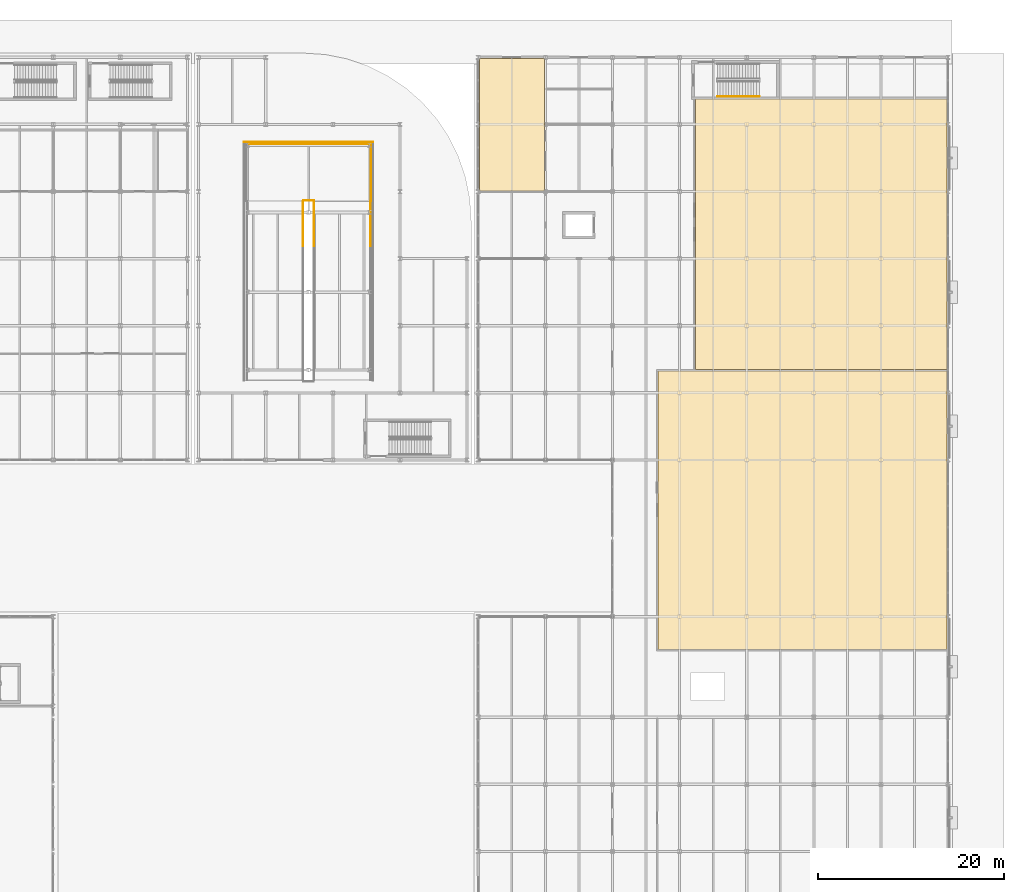
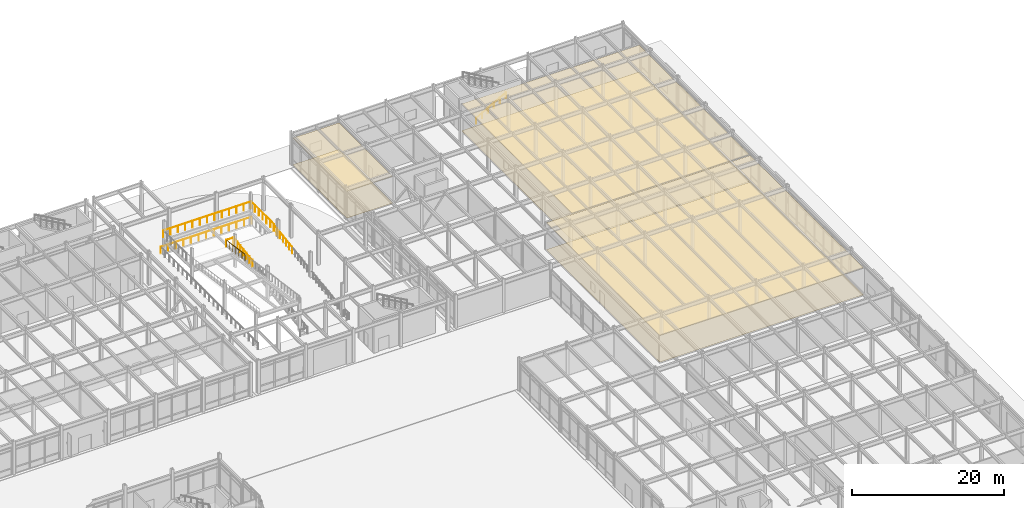
# One storey, part 101 of 104: 8 railings, 6 coverings.
"""IFC4 building model written with IfcOpenShell, lengths in metres."""

from ifc_helpers import new_model, si_unit, direction, frame, origin, origin_2d, place, context, subcontext, project, spatial, polyline, circle, outline, extrude, material, layer, layer_set, type_object, element, save


model = new_model("IFC4")

# Units and contexts
model_context = context("Model", 3, precision=1e-05, world=origin(), true_north=direction((0.0, 1.0)))
body_context = subcontext(model_context, "Body", "Model", "MODEL_VIEW")
ifc_project = project(units=[si_unit("LENGTHUNIT", "METRE"), si_unit("AREAUNIT", "SQUARE_METRE"), si_unit("VOLUMEUNIT", "CUBIC_METRE"), si_unit("PLANEANGLEUNIT", "RADIAN"), si_unit("MASSUNIT", "GRAM", prefix="KILO")], contexts=[model_context])

# Site, building, storey
site_placement = place(None, origin())
site = spatial("IfcSite", under=ifc_project, at=site_placement, CompositionType="ELEMENT")
building_placement = place(site_placement, origin())
building = spatial("IfcBuilding", under=site, at=building_placement, Name="Vaelcorin Mobility Hub", CompositionType="ELEMENT")
storey_placement = place(building_placement, origin())
storey = spatial("IfcBuildingStorey", under=building, at=storey_placement, Name="L00", CompositionType="ELEMENT", Elevation=0.0)

# Coverings
ifc_material_1 = material(Name="Perforated acoustic mineral-fibre ceiling tile")
ifc_layer_1 = layer(ifc_material_1, 0.02392578125)
ifc_layer_set_1 = layer_set([ifc_layer_1], Name="Perforated acoustic mineral-fibre ceiling tile")
covering_type_1 = type_object("IfcCoveringType", Name="COV-CEIL-2", PredefinedType="CEILING", material=ifc_layer_set_1)
covering_1_placement = place(storey_placement, frame((0.0, 0.0, 4.287109375)))
element("IfcCovering", 1, at=covering_1_placement, inside=storey, type_object=covering_type_1, Name="Commuter Helmet and Gear Store Acoustic Ceiling", PredefinedType="CEILING", context=body_context, shape_type="SweptSolid", body=[
    extrude(outline(polyline([(153.800048828125, 105.679931640625), (153.7939453125, 105.679931640625), (153.7880859375, 105.680908203125), (153.782958984375, 105.68310546875), (153.777099609375, 105.68505859375), (153.77197265625, 105.68701171875), (153.76708984375, 105.68994140625), (153.761962890625, 105.694091796875), (153.758056640625, 105.697998046875), (153.75390625, 105.701904296875), (153.75, 105.70703125), (153.7470703125, 105.7119140625), (153.7451171875, 105.717041015625), (153.742919921875, 105.722900390625), (153.740966796875, 105.72802734375), (153.739990234375, 105.73388671875), (153.739990234375, 105.739990234375), (153.739990234375, 119.800048828125), (153.739990234375, 119.805908203125), (153.740966796875, 119.81201171875), (153.742919921875, 119.81689453125), (153.7451171875, 119.822998046875), (153.7470703125, 119.827880859375), (153.75, 119.8330078125), (153.75390625, 119.837890625), (153.758056640625, 119.842041015625), (153.761962890625, 119.845947265625), (153.76708984375, 119.85009765625), (153.77197265625, 119.85302734375), (153.777099609375, 119.85498046875), (153.782958984375, 119.85693359375), (153.7880859375, 119.85888671875), (153.7939453125, 119.860107421875), (153.800048828125, 119.860107421875), (160.659912109375, 119.860107421875), (160.666015625, 119.860107421875), (160.672119140625, 119.85888671875), (160.677001953125, 119.85693359375), (160.68310546875, 119.85498046875), (160.68798828125, 119.85302734375), (160.693115234375, 119.85009765625), (160.697998046875, 119.845947265625), (160.701904296875, 119.842041015625), (160.7060546875, 119.837890625), (160.7099609375, 119.8330078125), (160.712890625, 119.827880859375), (160.715087890625, 119.822998046875), (160.717041015625, 119.81689453125), (160.718994140625, 119.81201171875), (160.719970703125, 119.805908203125), (160.719970703125, 119.800048828125), (160.719970703125, 105.739990234375), (160.719970703125, 105.73388671875), (160.718994140625, 105.72802734375), (160.717041015625, 105.722900390625), (160.715087890625, 105.717041015625), (160.712890625, 105.7119140625), (160.7099609375, 105.70703125), (160.7060546875, 105.701904296875), (160.701904296875, 105.697998046875), (160.697998046875, 105.694091796875), (160.693115234375, 105.68994140625), (160.68798828125, 105.68701171875), (160.68310546875, 105.68505859375), (160.677001953125, 105.68310546875), (160.672119140625, 105.680908203125), (160.666015625, 105.679931640625), (160.659912109375, 105.679931640625), (153.800048828125, 105.679931640625)])), origin(), (0.0, 0.0, 1.0), 0.02392578125),
])
ifc_layer_2 = layer(ifc_material_1, 0.030029296875)
ifc_layer_set_2 = layer_set([ifc_layer_2], Name="Perforated acoustic mineral-fibre ceiling tile")
covering_type_2 = type_object("IfcCoveringType", Name="COV-CEIL-3", PredefinedType="CEILING", material=ifc_layer_set_2)
covering_2_placement = place(storey_placement, frame((0.0, 0.0, 4.287109375)))
element("IfcCovering", 2, at=covering_2_placement, inside=storey, type_object=covering_type_2, Name="Cycle Repair Workshop Acoustic Ceiling", PredefinedType="CEILING", context=body_context, shape_type="SweptSolid", body=[
    extrude(outline(polyline([(172.93994140625, 56.47998046875), (172.93408203125, 56.47998046875), (172.927978515625, 56.48095703125), (172.923095703125, 56.48291015625), (172.9169921875, 56.485107421875), (172.912109375, 56.487060546875), (172.906982421875, 56.489990234375), (172.902099609375, 56.493896484375), (172.89794921875, 56.498046875), (172.89404296875, 56.501953125), (172.889892578125, 56.507080078125), (172.886962890625, 56.511962890625), (172.885009765625, 56.51708984375), (172.883056640625, 56.52294921875), (172.881103515625, 56.528076171875), (172.8798828125, 56.533935546875), (172.8798828125, 56.5400390625), (172.8798828125, 86.260009765625), (172.8798828125, 86.26611328125), (172.881103515625, 86.27197265625), (172.883056640625, 86.277099609375), (172.885009765625, 86.282958984375), (172.886962890625, 86.2880859375), (172.889892578125, 86.29296875), (172.89404296875, 86.298095703125), (172.89794921875, 86.302001953125), (172.902099609375, 86.305908203125), (172.906982421875, 86.31005859375), (172.912109375, 86.31298828125), (172.9169921875, 86.31494140625), (172.923095703125, 86.31689453125), (172.927978515625, 86.319091796875), (172.93408203125, 86.320068359375), (172.93994140625, 86.320068359375), (203.800048828125, 86.320068359375), (203.805908203125, 86.320068359375), (203.81201171875, 86.319091796875), (203.81689453125, 86.31689453125), (203.822998046875, 86.31494140625), (203.827880859375, 86.31298828125), (203.8330078125, 86.31005859375), (203.837890625, 86.305908203125), (203.842041015625, 86.302001953125), (203.845947265625, 86.298095703125), (203.85009765625, 86.29296875), (203.85302734375, 86.2880859375), (203.85498046875, 86.282958984375), (203.85693359375, 86.277099609375), (203.85888671875, 86.27197265625), (203.860107421875, 86.26611328125), (203.860107421875, 86.260009765625), (203.860107421875, 56.5400390625), (203.860107421875, 56.533935546875), (203.85888671875, 56.528076171875), (203.85693359375, 56.52294921875), (203.85498046875, 56.51708984375), (203.85302734375, 56.511962890625), (203.85009765625, 56.507080078125), (203.845947265625, 56.501953125), (203.842041015625, 56.498046875), (203.837890625, 56.493896484375), (203.8330078125, 56.489990234375), (203.827880859375, 56.487060546875), (203.822998046875, 56.485107421875), (203.81689453125, 56.48291015625), (203.81201171875, 56.48095703125), (203.805908203125, 56.47998046875), (203.800048828125, 56.47998046875), (172.93994140625, 56.47998046875)])), origin(), (0.0, 0.0, 1.0), 0.02978515625),
])
ifc_layer_3 = layer(ifc_material_1, 0.0380859375)
ifc_layer_set_3 = layer_set([ifc_layer_3], Name="Perforated acoustic mineral-fibre ceiling tile")
covering_type_3 = type_object("IfcCoveringType", Name="COV-CEIL-4", PredefinedType="CEILING", material=ifc_layer_set_3)
covering_3_placement = place(storey_placement, frame((0.0, 0.0, 4.287109375)))
element("IfcCovering", 3, at=covering_3_placement, inside=storey, type_object=covering_type_3, Name="Primary Commuter Bicycle Store Acoustic Ceiling", PredefinedType="CEILING", context=body_context, shape_type="SweptSolid", body=[
    extrude(outline(polyline([(176.93994140625, 86.47998046875), (176.93408203125, 86.47998046875), (176.927978515625, 86.48095703125), (176.923095703125, 86.48291015625), (176.9169921875, 86.485107421875), (176.912109375, 86.487060546875), (176.906982421875, 86.489990234375), (176.902099609375, 86.493896484375), (176.89794921875, 86.498046875), (176.89404296875, 86.501953125), (176.889892578125, 86.507080078125), (176.886962890625, 86.511962890625), (176.885009765625, 86.51708984375), (176.883056640625, 86.52294921875), (176.881103515625, 86.528076171875), (176.8798828125, 86.533935546875), (176.8798828125, 86.5400390625), (176.8798828125, 115.4599609375), (176.8798828125, 115.466064453125), (176.881103515625, 115.471923828125), (176.883056640625, 115.47705078125), (176.885009765625, 115.48291015625), (176.886962890625, 115.488037109375), (176.889892578125, 115.492919921875), (176.89404296875, 115.498046875), (176.89794921875, 115.501953125), (176.902099609375, 115.506103515625), (176.906982421875, 115.510009765625), (176.912109375, 115.512939453125), (176.9169921875, 115.514892578125), (176.923095703125, 115.51708984375), (176.927978515625, 115.51904296875), (176.93408203125, 115.52001953125), (176.93994140625, 115.52001953125), (203.800048828125, 115.52001953125), (203.805908203125, 115.52001953125), (203.81201171875, 115.51904296875), (203.81689453125, 115.51708984375), (203.822998046875, 115.514892578125), (203.827880859375, 115.512939453125), (203.8330078125, 115.510009765625), (203.837890625, 115.506103515625), (203.842041015625, 115.501953125), (203.845947265625, 115.498046875), (203.85009765625, 115.492919921875), (203.85302734375, 115.488037109375), (203.85498046875, 115.48291015625), (203.85693359375, 115.47705078125), (203.85888671875, 115.471923828125), (203.860107421875, 115.466064453125), (203.860107421875, 115.4599609375), (203.860107421875, 86.5400390625), (203.860107421875, 86.533935546875), (203.85888671875, 86.528076171875), (203.85693359375, 86.52294921875), (203.85498046875, 86.51708984375), (203.85302734375, 86.511962890625), (203.85009765625, 86.507080078125), (203.845947265625, 86.501953125), (203.842041015625, 86.498046875), (203.837890625, 86.493896484375), (203.8330078125, 86.489990234375), (203.827880859375, 86.487060546875), (203.822998046875, 86.485107421875), (203.81689453125, 86.48291015625), (203.81201171875, 86.48095703125), (203.805908203125, 86.47998046875), (203.800048828125, 86.47998046875), (176.93994140625, 86.47998046875)])), origin(), (0.0, 0.0, 1.0), 0.037841796875),
])
ifc_material_2 = material(Name="Polished epoxy-terrazzo concourse flooring")
ifc_layer_4 = layer(ifc_material_2, 0.01806640625)
ifc_layer_set_4 = layer_set([ifc_layer_4], Name="Polished epoxy-terrazzo concourse flooring")
covering_type_4 = type_object("IfcCoveringType", Name="COV-FLR-1", PredefinedType="FLOORING", material=ifc_layer_set_4)
covering_4_placement = place(storey_placement, origin())
element("IfcCovering", 4, at=covering_4_placement, inside=storey, type_object=covering_type_4, Name="Cycle Repair Workshop Finish Flooring", PredefinedType="FLOORING", context=body_context, shape_type="SweptSolid", body=[
    extrude(outline(polyline([(172.93994140625, 56.47998046875), (172.93408203125, 56.47998046875), (172.927978515625, 56.48095703125), (172.923095703125, 56.48291015625), (172.9169921875, 56.485107421875), (172.912109375, 56.487060546875), (172.906982421875, 56.489990234375), (172.902099609375, 56.493896484375), (172.89794921875, 56.498046875), (172.89404296875, 56.501953125), (172.889892578125, 56.507080078125), (172.886962890625, 56.511962890625), (172.885009765625, 56.51708984375), (172.883056640625, 56.52294921875), (172.881103515625, 56.528076171875), (172.8798828125, 56.533935546875), (172.8798828125, 56.5400390625), (172.8798828125, 86.260009765625), (172.8798828125, 86.26611328125), (172.881103515625, 86.27197265625), (172.883056640625, 86.277099609375), (172.885009765625, 86.282958984375), (172.886962890625, 86.2880859375), (172.889892578125, 86.29296875), (172.89404296875, 86.298095703125), (172.89794921875, 86.302001953125), (172.902099609375, 86.305908203125), (172.906982421875, 86.31005859375), (172.912109375, 86.31298828125), (172.9169921875, 86.31494140625), (172.923095703125, 86.31689453125), (172.927978515625, 86.319091796875), (172.93408203125, 86.320068359375), (172.93994140625, 86.320068359375), (203.800048828125, 86.320068359375), (203.805908203125, 86.320068359375), (203.81201171875, 86.319091796875), (203.81689453125, 86.31689453125), (203.822998046875, 86.31494140625), (203.827880859375, 86.31298828125), (203.8330078125, 86.31005859375), (203.837890625, 86.305908203125), (203.842041015625, 86.302001953125), (203.845947265625, 86.298095703125), (203.85009765625, 86.29296875), (203.85302734375, 86.2880859375), (203.85498046875, 86.282958984375), (203.85693359375, 86.277099609375), (203.85888671875, 86.27197265625), (203.860107421875, 86.26611328125), (203.860107421875, 86.260009765625), (203.860107421875, 56.5400390625), (203.860107421875, 56.533935546875), (203.85888671875, 56.528076171875), (203.85693359375, 56.52294921875), (203.85498046875, 56.51708984375), (203.85302734375, 56.511962890625), (203.85009765625, 56.507080078125), (203.845947265625, 56.501953125), (203.842041015625, 56.498046875), (203.837890625, 56.493896484375), (203.8330078125, 56.489990234375), (203.827880859375, 56.487060546875), (203.822998046875, 56.485107421875), (203.81689453125, 56.48291015625), (203.81201171875, 56.48095703125), (203.805908203125, 56.47998046875), (203.800048828125, 56.47998046875), (172.93994140625, 56.47998046875)])), origin(), (0.0, 0.0, 1.0), 0.01806640625),
])
ifc_layer_5 = layer(ifc_material_2, 0.02587890625)
ifc_layer_set_5 = layer_set([ifc_layer_5], Name="Polished epoxy-terrazzo concourse flooring")
covering_type_5 = type_object("IfcCoveringType", Name="COV-FLR-2", PredefinedType="FLOORING", material=ifc_layer_set_5)
covering_5_placement = place(storey_placement, origin())
element("IfcCovering", 5, at=covering_5_placement, inside=storey, type_object=covering_type_5, Name="Primary Commuter Bicycle Store Finish Flooring", PredefinedType="FLOORING", context=body_context, shape_type="SweptSolid", body=[
    extrude(outline(polyline([(176.93994140625, 86.47998046875), (176.93408203125, 86.47998046875), (176.927978515625, 86.48095703125), (176.923095703125, 86.48291015625), (176.9169921875, 86.485107421875), (176.912109375, 86.487060546875), (176.906982421875, 86.489990234375), (176.902099609375, 86.493896484375), (176.89794921875, 86.498046875), (176.89404296875, 86.501953125), (176.889892578125, 86.507080078125), (176.886962890625, 86.511962890625), (176.885009765625, 86.51708984375), (176.883056640625, 86.52294921875), (176.881103515625, 86.528076171875), (176.8798828125, 86.533935546875), (176.8798828125, 86.5400390625), (176.8798828125, 115.4599609375), (176.8798828125, 115.466064453125), (176.881103515625, 115.471923828125), (176.883056640625, 115.47705078125), (176.885009765625, 115.48291015625), (176.886962890625, 115.488037109375), (176.889892578125, 115.492919921875), (176.89404296875, 115.498046875), (176.89794921875, 115.501953125), (176.902099609375, 115.506103515625), (176.906982421875, 115.510009765625), (176.912109375, 115.512939453125), (176.9169921875, 115.514892578125), (176.923095703125, 115.51708984375), (176.927978515625, 115.51904296875), (176.93408203125, 115.52001953125), (176.93994140625, 115.52001953125), (203.800048828125, 115.52001953125), (203.805908203125, 115.52001953125), (203.81201171875, 115.51904296875), (203.81689453125, 115.51708984375), (203.822998046875, 115.514892578125), (203.827880859375, 115.512939453125), (203.8330078125, 115.510009765625), (203.837890625, 115.506103515625), (203.842041015625, 115.501953125), (203.845947265625, 115.498046875), (203.85009765625, 115.492919921875), (203.85302734375, 115.488037109375), (203.85498046875, 115.48291015625), (203.85693359375, 115.47705078125), (203.85888671875, 115.471923828125), (203.860107421875, 115.466064453125), (203.860107421875, 115.4599609375), (203.860107421875, 86.5400390625), (203.860107421875, 86.533935546875), (203.85888671875, 86.528076171875), (203.85693359375, 86.52294921875), (203.85498046875, 86.51708984375), (203.85302734375, 86.511962890625), (203.85009765625, 86.507080078125), (203.845947265625, 86.501953125), (203.842041015625, 86.498046875), (203.837890625, 86.493896484375), (203.8330078125, 86.489990234375), (203.827880859375, 86.487060546875), (203.822998046875, 86.485107421875), (203.81689453125, 86.48291015625), (203.81201171875, 86.48095703125), (203.805908203125, 86.47998046875), (203.800048828125, 86.47998046875), (176.93994140625, 86.47998046875)])), origin(), (0.0, 0.0, 1.0), 0.02587890625),
])
covering_6_placement = place(storey_placement, origin())
element("IfcCovering", 6, at=covering_6_placement, inside=storey, type_object=covering_type_5, Name="Commuter Helmet and Gear Store Finish Flooring", PredefinedType="FLOORING", context=body_context, shape_type="SweptSolid", body=[
    extrude(outline(polyline([(153.800048828125, 105.679931640625), (153.7939453125, 105.679931640625), (153.7880859375, 105.680908203125), (153.782958984375, 105.68310546875), (153.777099609375, 105.68505859375), (153.77197265625, 105.68701171875), (153.76708984375, 105.68994140625), (153.761962890625, 105.694091796875), (153.758056640625, 105.697998046875), (153.75390625, 105.701904296875), (153.75, 105.70703125), (153.7470703125, 105.7119140625), (153.7451171875, 105.717041015625), (153.742919921875, 105.722900390625), (153.740966796875, 105.72802734375), (153.739990234375, 105.73388671875), (153.739990234375, 105.739990234375), (153.739990234375, 119.800048828125), (153.739990234375, 119.805908203125), (153.740966796875, 119.81201171875), (153.742919921875, 119.81689453125), (153.7451171875, 119.822998046875), (153.7470703125, 119.827880859375), (153.75, 119.8330078125), (153.75390625, 119.837890625), (153.758056640625, 119.842041015625), (153.761962890625, 119.845947265625), (153.76708984375, 119.85009765625), (153.77197265625, 119.85302734375), (153.777099609375, 119.85498046875), (153.782958984375, 119.85693359375), (153.7880859375, 119.85888671875), (153.7939453125, 119.860107421875), (153.800048828125, 119.860107421875), (160.659912109375, 119.860107421875), (160.666015625, 119.860107421875), (160.672119140625, 119.85888671875), (160.677001953125, 119.85693359375), (160.68310546875, 119.85498046875), (160.68798828125, 119.85302734375), (160.693115234375, 119.85009765625), (160.697998046875, 119.845947265625), (160.701904296875, 119.842041015625), (160.7060546875, 119.837890625), (160.7099609375, 119.8330078125), (160.712890625, 119.827880859375), (160.715087890625, 119.822998046875), (160.717041015625, 119.81689453125), (160.718994140625, 119.81201171875), (160.719970703125, 119.805908203125), (160.719970703125, 119.800048828125), (160.719970703125, 105.739990234375), (160.719970703125, 105.73388671875), (160.718994140625, 105.72802734375), (160.717041015625, 105.722900390625), (160.715087890625, 105.717041015625), (160.712890625, 105.7119140625), (160.7099609375, 105.70703125), (160.7060546875, 105.701904296875), (160.701904296875, 105.697998046875), (160.697998046875, 105.694091796875), (160.693115234375, 105.68994140625), (160.68798828125, 105.68701171875), (160.68310546875, 105.68505859375), (160.677001953125, 105.68310546875), (160.672119140625, 105.680908203125), (160.666015625, 105.679931640625), (160.659912109375, 105.679931640625), (153.800048828125, 105.679931640625)])), origin(), (0.0, 0.0, 1.0), 0.02587890625),
])

# Railings
ifc_material_3 = material(Name="Galvanised structural steel ASTM A36", Category="steel")
ifc_layer_6 = layer(ifc_material_3, 0.070068359375)
ifc_layer_set_6 = layer_set([ifc_layer_6], Name="Galvanised structural steel ASTM A36")
railing_type_1 = type_object("IfcRailingType", Name="RL-GUARD-1100", PredefinedType="BALUSTRADE", material=ifc_layer_set_6)
railing_1_placement = place(storey_placement, frame((128.47998046875, 110.919921875, 0.0)))
element("IfcRailing", 7, at=railing_1_placement, inside=storey, type_object=railing_type_1, Name="L00 Perimeter Guard GR-V2E-L00-WELL-02", PredefinedType="BALUSTRADE", context=body_context, shape_type="SweptSolid", body=[
    extrude(circle(Radius=0.02392578125, at=origin_2d()), frame((0.0, 0.0, 1.076171875), z_axis=(1.0, 0.0, 0.0), x_axis=(0.0, 1.0, 0.0)), (0.0, 0.0, 1.0), 13.840087890625),
    extrude(circle(Radius=0.02099609375, at=origin_2d()), origin(), (0.0, 0.0, 1.0), 1.052001953125),
    extrude(circle(Radius=0.02099609375, at=origin_2d()), frame((1.1533203125, 0.0, 0.0)), (0.0, 0.0, 1.0), 1.052001953125),
    extrude(circle(Radius=0.02099609375, at=origin_2d()), frame((2.306640625, 0.0, 0.0)), (0.0, 0.0, 1.0), 1.052001953125),
    extrude(circle(Radius=0.02099609375, at=origin_2d()), frame((3.4599609375, 0.0, 0.0)), (0.0, 0.0, 1.0), 1.052001953125),
    extrude(circle(Radius=0.02099609375, at=origin_2d()), frame((4.61328125, 0.0, 0.0)), (0.0, 0.0, 1.0), 1.052001953125),
    extrude(circle(Radius=0.02099609375, at=origin_2d()), frame((5.7666015625, 0.0, 0.0)), (0.0, 0.0, 1.0), 1.052001953125),
    extrude(circle(Radius=0.02099609375, at=origin_2d()), frame((6.919921875, 0.0, 0.0)), (0.0, 0.0, 1.0), 1.052001953125),
    extrude(circle(Radius=0.02099609375, at=origin_2d()), frame((8.073486328125, 0.0, 0.0)), (0.0, 0.0, 1.0), 1.052001953125),
    extrude(circle(Radius=0.02099609375, at=origin_2d()), frame((9.226806640625, 0.0, 0.0)), (0.0, 0.0, 1.0), 1.052001953125),
    extrude(circle(Radius=0.02099609375, at=origin_2d()), frame((10.380126953125, 0.0, 0.0)), (0.0, 0.0, 1.0), 1.052001953125),
    extrude(circle(Radius=0.02099609375, at=origin_2d()), frame((11.533447265625, 0.0, 0.0)), (0.0, 0.0, 1.0), 1.052001953125),
    extrude(circle(Radius=0.02099609375, at=origin_2d()), frame((12.686767578125, 0.0, 0.0)), (0.0, 0.0, 1.0), 1.052001953125),
    extrude(circle(Radius=0.02099609375, at=origin_2d()), frame((13.840087890625, 0.0, 0.0)), (0.0, 0.0, 1.0), 1.052001953125),
])
for number, where, name in (
    (8, (135.97998046875, 99.7451171875, 2.02490234375), "L00 Ramp Guard GR-V2E-L00-FL1-W-04"),
    (9, (142.02001953125, 99.7451171875, 2.02490234375), "L00 Ramp Guard GR-V2E-L00-FL1-E-04"),
):
    element("IfcRailing", number, at=place(storey_placement, frame(where)), inside=storey, type_object=railing_type_1, Name=name, PredefinedType="BALUSTRADE", context=body_context, shape_type="SweptSolid", body=[
        extrude(circle(Radius=0.02392578125, at=origin_2d()), frame((0.0, 0.0, 1.076171875), z_axis=(0.0, 0.990234839535, 0.139409334588), x_axis=(-1.0, 0.0, 0.0)), (0.0, 0.0, 1.0), 4.84228515625),
        extrude(circle(Radius=0.02099609375, at=origin_2d()), origin(), (0.0, 0.0, 1.0), 1.052001953125),
        extrude(circle(Radius=0.02099609375, at=origin_2d()), frame((0.0, 0.799072265625, 0.112548828125)), (0.0, 0.0, 1.0), 1.052001953125),
        extrude(circle(Radius=0.02099609375, at=origin_2d()), frame((0.0, 1.598388671875, 0.22509765625)), (0.0, 0.0, 1.0), 1.052001953125),
        extrude(circle(Radius=0.02099609375, at=origin_2d()), frame((0.0, 2.3974609375, 0.33740234375)), (0.0, 0.0, 1.0), 1.052001953125),
        extrude(circle(Radius=0.02099609375, at=origin_2d()), frame((0.0, 3.196533203125, 0.449951171875)), (0.0, 0.0, 1.0), 1.052001953125),
        extrude(circle(Radius=0.02099609375, at=origin_2d()), frame((0.0, 3.995849609375, 0.5625)), (0.0, 0.0, 1.0), 1.052001953125),
        extrude(circle(Radius=0.02099609375, at=origin_2d()), frame((0.0, 4.794921875, 0.675048828125)), (0.0, 0.0, 1.0), 1.052001953125),
    ])
railing_2_placement = place(storey_placement, frame((134.820068359375, 104.5400390625, 2.699951171875)))
element("IfcRailing", 10, at=railing_2_placement, inside=storey, type_object=railing_type_1, Name="L00 Ramp Guard GR-V2E-L00-FL2-E-01", PredefinedType="BALUSTRADE", context=body_context, shape_type="SweptSolid", body=[
    extrude(circle(Radius=0.02392578125, at=origin_2d()), frame((0.0, 0.0, 1.076171875), z_axis=(0.0, -0.990234839535, 0.139409334588), x_axis=(1.0, 0.0, 0.0)), (0.0, 0.0, 1.0), 4.84228515625),
    extrude(circle(Radius=0.02099609375, at=origin_2d()), origin(), (0.0, 0.0, 1.0), 1.052001953125),
    extrude(circle(Radius=0.02099609375, at=origin_2d()), frame((0.0, -0.799072265625, 0.112548828125)), (0.0, 0.0, 1.0), 1.052001953125),
    extrude(circle(Radius=0.02099609375, at=origin_2d()), frame((0.0, -1.598388671875, 0.22509765625)), (0.0, 0.0, 1.0), 1.052001953125),
    extrude(circle(Radius=0.02099609375, at=origin_2d()), frame((0.0, -2.3974609375, 0.33740234375)), (0.0, 0.0, 1.0), 1.052001953125),
    extrude(circle(Radius=0.02099609375, at=origin_2d()), frame((0.0, -3.196533203125, 0.449951171875)), (0.0, 0.0, 1.0), 1.052001953125),
    extrude(circle(Radius=0.02099609375, at=origin_2d()), frame((0.0, -3.995849609375, 0.5625)), (0.0, 0.0, 1.0), 1.052001953125),
    extrude(circle(Radius=0.02099609375, at=origin_2d()), frame((0.0, -4.794921875, 0.675048828125)), (0.0, 0.0, 1.0), 1.052001953125),
])
railing_3_placement = place(storey_placement, frame((128.72998046875, 110.669921875, 2.699951171875)))
element("IfcRailing", 11, at=railing_3_placement, inside=storey, type_object=railing_type_1, Name="L00 Perimeter Guard GR-V2E-L00-LND-02", PredefinedType="BALUSTRADE", context=body_context, shape_type="SweptSolid", body=[
    extrude(circle(Radius=0.02392578125, at=origin_2d()), frame((0.0, 0.0, 1.076171875), z_axis=(1.0, 0.0, 0.0), x_axis=(0.0, 1.0, 0.0)), (0.0, 0.0, 1.0), 13.340087890625),
    extrude(circle(Radius=0.02099609375, at=origin_2d()), origin(), (0.0, 0.0, 1.0), 1.052001953125),
    extrude(circle(Radius=0.02099609375, at=origin_2d()), frame((1.111572265625, 0.0, 0.0)), (0.0, 0.0, 1.0), 1.052001953125),
    extrude(circle(Radius=0.02099609375, at=origin_2d()), frame((2.223388671875, 0.0, 0.0)), (0.0, 0.0, 1.0), 1.052001953125),
    extrude(circle(Radius=0.02099609375, at=origin_2d()), frame((3.3349609375, 0.0, 0.0)), (0.0, 0.0, 1.0), 1.052001953125),
    extrude(circle(Radius=0.02099609375, at=origin_2d()), frame((4.44677734375, 0.0, 0.0)), (0.0, 0.0, 1.0), 1.052001953125),
    extrude(circle(Radius=0.02099609375, at=origin_2d()), frame((5.558349609375, 0.0, 0.0)), (0.0, 0.0, 1.0), 1.052001953125),
    extrude(circle(Radius=0.02099609375, at=origin_2d()), frame((6.669921875, 0.0, 0.0)), (0.0, 0.0, 1.0), 1.052001953125),
    extrude(circle(Radius=0.02099609375, at=origin_2d()), frame((7.78173828125, 0.0, 0.0)), (0.0, 0.0, 1.0), 1.052001953125),
    extrude(circle(Radius=0.02099609375, at=origin_2d()), frame((8.893310546875, 0.0, 0.0)), (0.0, 0.0, 1.0), 1.052001953125),
    extrude(circle(Radius=0.02099609375, at=origin_2d()), frame((10.005126953125, 0.0, 0.0)), (0.0, 0.0, 1.0), 1.052001953125),
    extrude(circle(Radius=0.02099609375, at=origin_2d()), frame((11.11669921875, 0.0, 0.0)), (0.0, 0.0, 1.0), 1.052001953125),
    extrude(circle(Radius=0.02099609375, at=origin_2d()), frame((12.228515625, 0.0, 0.0)), (0.0, 0.0, 1.0), 1.052001953125),
    extrude(circle(Radius=0.02099609375, at=origin_2d()), frame((13.340087890625, 0.0, 0.0)), (0.0, 0.0, 1.0), 1.052001953125),
])
railing_4_placement = place(storey_placement, frame((142.070068359375, 110.669921875, 2.699951171875)))
element("IfcRailing", 12, at=railing_4_placement, inside=storey, type_object=railing_type_1, Name="L00 Perimeter Guard GR-V2E-L00-LND-03", PredefinedType="BALUSTRADE", context=body_context, shape_type="SweptSolid", body=[
    extrude(circle(Radius=0.02392578125, at=origin_2d()), frame((0.0, 0.0, 1.076171875), z_axis=(0.0, -1.0, 0.0), x_axis=(1.0, 0.0, 0.0)), (0.0, 0.0, 1.0), 6.10986328125),
    extrude(circle(Radius=0.02099609375, at=origin_2d()), origin(), (0.0, 0.0, 1.0), 1.052001953125),
    extrude(circle(Radius=0.02099609375, at=origin_2d()), frame((0.0, -1.018310546875, 0.0)), (0.0, 0.0, 1.0), 1.052001953125),
    extrude(circle(Radius=0.02099609375, at=origin_2d()), frame((0.0, -2.03662109375, 0.0)), (0.0, 0.0, 1.0), 1.052001953125),
    extrude(circle(Radius=0.02099609375, at=origin_2d()), frame((0.0, -3.054931640625, 0.0)), (0.0, 0.0, 1.0), 1.052001953125),
    extrude(circle(Radius=0.02099609375, at=origin_2d()), frame((0.0, -4.0732421875, 0.0)), (0.0, 0.0, 1.0), 1.052001953125),
    extrude(circle(Radius=0.02099609375, at=origin_2d()), frame((0.0, -5.091552734375, 0.0)), (0.0, 0.0, 1.0), 1.052001953125),
    extrude(circle(Radius=0.02099609375, at=origin_2d()), frame((0.0, -6.10986328125, 0.0)), (0.0, 0.0, 1.0), 1.052001953125),
])
railing_5_placement = place(storey_placement, frame((134.820068359375, 104.639892578125, 2.699951171875)))
element("IfcRailing", 13, at=railing_5_placement, inside=storey, type_object=railing_type_1, Name="L00 Perimeter Guard GR-V2E-L00-LND-MED-01", PredefinedType="BALUSTRADE", context=body_context, shape_type="SweptSolid", body=[
    extrude(circle(Radius=0.02392578125, at=origin_2d()), frame((0.0, 0.0, 1.076171875), z_axis=(1.0, 0.0, 0.0), x_axis=(0.0, 1.0, 0.0)), (0.0, 0.0, 1.0), 1.159912109375),
    extrude(circle(Radius=0.02099609375, at=origin_2d()), origin(), (0.0, 0.0, 1.0), 1.052001953125),
    extrude(circle(Radius=0.02099609375, at=origin_2d()), frame((1.159912109375, 0.0, 0.0)), (0.0, 0.0, 1.0), 1.052001953125),
])
ifc_material_4 = material(Name="Brushed stainless steel 316L", Category="steel")
ifc_layer_7 = layer(ifc_material_4, 0.048095703125)
ifc_layer_set_7 = layer_set([ifc_layer_7], Name="Brushed stainless steel 316L")
railing_type_2 = type_object("IfcRailingType", Name="RL-STAIR-HR", PredefinedType="HANDRAIL", material=ifc_layer_set_7)
railing_6_placement = place(storey_placement, frame((179.25, 115.800048828125, 0.168701171875)))
element("IfcRailing", 14, at=railing_6_placement, inside=storey, type_object=railing_type_2, Name="L00 ST6 stair handrail 1", PredefinedType="HANDRAIL", context=body_context, shape_type="SweptSolid", body=[
    extrude(circle(Radius=0.02392578125, at=origin_2d()), frame((0.0, 0.0, 0.8759765625), z_axis=(0.871575537125, 0.0, 0.490261239633), x_axis=(0.0, 1.0, 0.0)), (0.0, 0.0, 1.0), 5.1630859375),
    extrude(circle(Radius=0.02099609375, at=origin_2d()), origin(), (0.0, 0.0, 1.0), 0.851806640625),
    extrude(circle(Radius=0.02099609375, at=origin_2d()), frame((0.89990234375, 0.0, 0.50634765625)), (0.0, 0.0, 1.0), 0.851806640625),
    extrude(circle(Radius=0.02099609375, at=origin_2d()), frame((1.800048828125, 0.0, 1.012451171875)), (0.0, 0.0, 1.0), 0.851806640625),
    extrude(circle(Radius=0.02099609375, at=origin_2d()), frame((2.699951171875, 0.0, 1.518798828125)), (0.0, 0.0, 1.0), 0.851806640625),
    extrude(circle(Radius=0.02099609375, at=origin_2d()), frame((3.60009765625, 0.0, 2.02490234375)), (0.0, 0.0, 1.0), 0.851806640625),
    extrude(circle(Radius=0.02099609375, at=origin_2d()), frame((4.5, 0.0, 2.53125)), (0.0, 0.0, 1.0), 0.851806640625),
])

save(model, "model.ifc")
